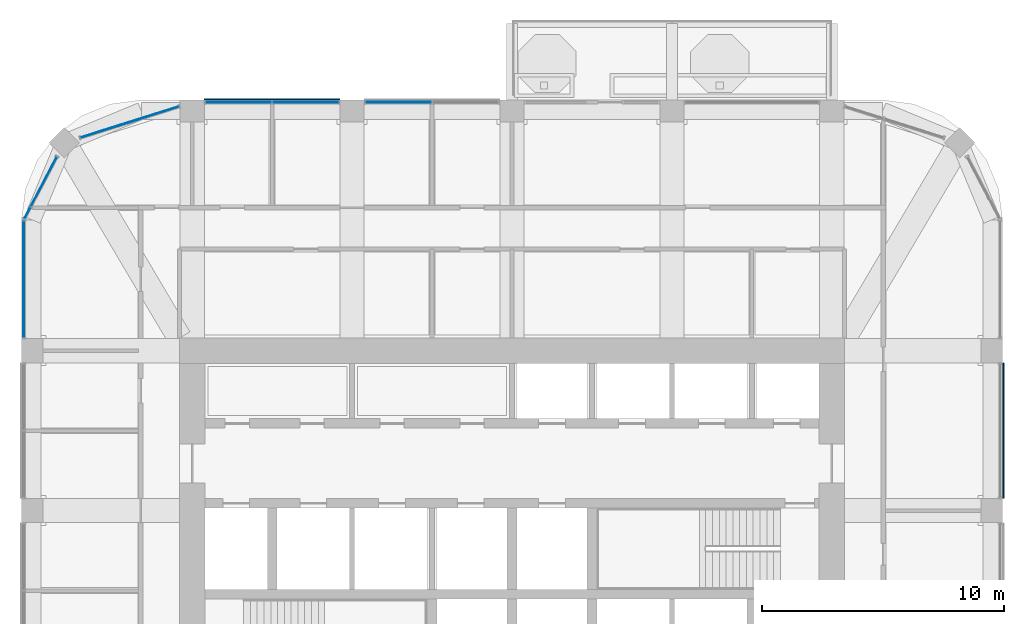
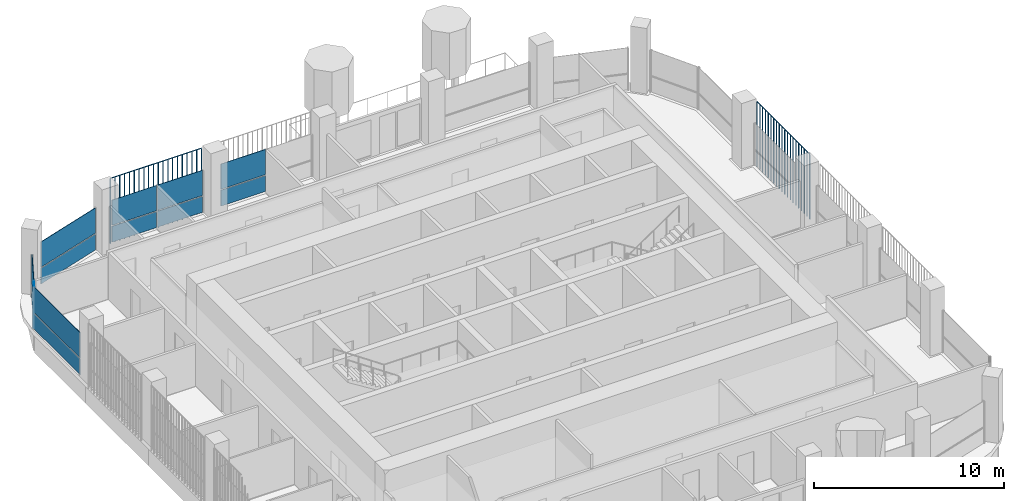
# One storey, part 12 of 21: 16 plates, 5 elements without a shape of their own.
"""IFC4 building model written with IfcOpenShell, lengths in metres."""

from ifc_helpers import new_model, si_unit, direction, frame, origin, origin_2d, place, context, subcontext, project, spatial, polyline, rectangle, outline, extrude, material, layer, layer_set, type_object, element, aggregate, save


model = new_model("IFC4")

# Units and contexts
model_context = context("Model", 3, precision=1e-05, world=origin(), true_north=direction((0.0, 1.0)))
body_context = subcontext(model_context, "Body", "Model", "MODEL_VIEW")
ifc_project = project(units=[si_unit("LENGTHUNIT", "METRE"), si_unit("AREAUNIT", "SQUARE_METRE"), si_unit("VOLUMEUNIT", "CUBIC_METRE"), si_unit("PLANEANGLEUNIT", "RADIAN"), si_unit("MASSUNIT", "GRAM", prefix="KILO")], contexts=[model_context])

# Site, building, storey
site_placement = place(None, origin())
site = spatial("IfcSite", under=ifc_project, at=site_placement, CompositionType="ELEMENT")
building_placement = place(site_placement, origin())
building = spatial("IfcBuilding", under=site, at=building_placement, Name="Cobogo Forest Laboratory Tower", CompositionType="ELEMENT")
storey_placement = place(building_placement, frame((0.0, 0.0, 267.0)))
storey = spatial("IfcBuildingStorey", under=building, at=storey_placement, Name="L61", CompositionType="ELEMENT", Elevation=267.0)

# Curtain wall, plates
ifc_material_1 = material(Name="Aluminium curtain wall", Category="aluminium")
curtain_wall_type = type_object("IfcCurtainWallType", Name="CW-2 unitised curtain wall, solar control glazing, laboratory floors zones C and D", PredefinedType="USERDEFINED", material=ifc_material_1)
curtain_wall_1_placement = place(storey_placement, origin())
curtain_wall_1 = element("IfcCurtainWall", 1, at=curtain_wall_1_placement, inside=storey, type_object=curtain_wall_type, Name="Curtain wall 16 L61", ObjectType="UNITISED CURTAIN WALL", PredefinedType="USERDEFINED")
ifc_material_2 = material(Name="Solar control insulated glass", Category="glass")
ifc_layer = layer(ifc_material_2, 0.031982421875)
ifc_layer_set = layer_set([ifc_layer], Name="GP-2 solar control glass unit 32")
plate_type_1 = type_object("IfcPlateType", Name="GP-2 solar control glass unit 32", PredefinedType="CURTAIN_PANEL", material=ifc_layer_set)
plate_1_placement = place(storey_placement, frame((21.715087890625, 43.25, 0.0), z_axis=(0.0, 0.0, 1.0), x_axis=(-1.0, 0.0, 0.0)))
plate_1 = element("IfcPlate", 2, at=plate_1_placement, type_object=plate_type_1, Name="CW-2 panel 2.1", PredefinedType="CURTAIN_PANEL", context=body_context, shape_type="SweptSolid", body=[
    extrude(rectangle(XDim=2.7099609375, YDim=0.031982421875, at=origin_2d()), origin(), (0.0, 0.0, 1.0), 1.02001953125),
])
plate_2_placement = place(storey_placement, frame((21.715087890625, 43.25, 1.079833984375), z_axis=(0.0, 0.0, 1.0), x_axis=(-1.0, 0.0, 0.0)))
plate_2 = element("IfcPlate", 3, at=plate_2_placement, type_object=plate_type_1, Name="CW-2 panel 2.2", PredefinedType="CURTAIN_PANEL", context=body_context, shape_type="SweptSolid", body=[
    extrude(rectangle(XDim=2.7099609375, YDim=0.031982421875, at=origin_2d()), origin(), (0.0, 0.0, 1.0), 1.6201171875),
])
aggregate(curtain_wall_1, [plate_1, plate_2])

curtain_wall_2_placement = place(storey_placement, origin())
curtain_wall_2 = element("IfcCurtainWall", 4, at=curtain_wall_2_placement, inside=storey, type_object=curtain_wall_type, Name="Curtain wall 17 L61", ObjectType="UNITISED CURTAIN WALL", PredefinedType="USERDEFINED")
plate_3_placement = place(storey_placement, frame((17.885009765625, 43.25, 0.0), z_axis=(0.0, 0.0, 1.0), x_axis=(-1.0, 0.0, 0.0)))
plate_3 = element("IfcPlate", 5, at=plate_3_placement, type_object=plate_type_1, Name="CW-2 panel 1.1", PredefinedType="CURTAIN_PANEL", context=body_context, shape_type="SweptSolid", body=[
    extrude(rectangle(XDim=2.7099609375, YDim=0.031982421875, at=origin_2d()), origin(), (0.0, 0.0, 1.0), 1.02001953125),
])
plate_4_placement = place(storey_placement, frame((17.885009765625, 43.25, 1.079833984375), z_axis=(0.0, 0.0, 1.0), x_axis=(-1.0, 0.0, 0.0)))
plate_4 = element("IfcPlate", 6, at=plate_4_placement, type_object=plate_type_1, Name="CW-2 panel 1.2", PredefinedType="CURTAIN_PANEL", context=body_context, shape_type="SweptSolid", body=[
    extrude(rectangle(XDim=2.7099609375, YDim=0.031982421875, at=origin_2d()), origin(), (0.0, 0.0, 1.0), 1.6201171875),
])
plate_5_placement = place(storey_placement, frame((15.114990234375, 43.25, 0.0), z_axis=(0.0, 0.0, 1.0), x_axis=(-1.0, 0.0, 0.0)))
plate_5 = element("IfcPlate", 7, at=plate_5_placement, type_object=plate_type_1, Name="CW-2 panel 2.1", PredefinedType="CURTAIN_PANEL", context=body_context, shape_type="SweptSolid", body=[
    extrude(rectangle(XDim=2.7099609375, YDim=0.031982421875, at=origin_2d()), origin(), (0.0, 0.0, 1.0), 1.02001953125),
])
plate_6_placement = place(storey_placement, frame((15.114990234375, 43.25, 1.079833984375), z_axis=(0.0, 0.0, 1.0), x_axis=(-1.0, 0.0, 0.0)))
plate_6 = element("IfcPlate", 8, at=plate_6_placement, type_object=plate_type_1, Name="CW-2 panel 2.2", PredefinedType="CURTAIN_PANEL", context=body_context, shape_type="SweptSolid", body=[
    extrude(rectangle(XDim=2.7099609375, YDim=0.031982421875, at=origin_2d()), origin(), (0.0, 0.0, 1.0), 1.6201171875),
])
aggregate(curtain_wall_2, [plate_3, plate_4, plate_5, plate_6])

curtain_wall_3_placement = place(storey_placement, origin())
curtain_wall_3 = element("IfcCurtainWall", 9, at=curtain_wall_3_placement, inside=storey, type_object=curtain_wall_type, Name="Curtain wall 18 L61", ObjectType="UNITISED CURTAIN WALL", PredefinedType="USERDEFINED")
plate_7_placement = place(storey_placement, frame((10.62060546875, 42.435546875, 0.0), z_axis=(0.0, 0.0, 1.0), x_axis=(-0.953581379409, -0.301135439371, 0.0)))
plate_7 = element("IfcPlate", 10, at=plate_7_placement, type_object=plate_type_1, Name="CW-2 panel 1.1", PredefinedType="CURTAIN_PANEL", context=body_context, shape_type="SweptSolid", body=[
    extrude(rectangle(XDim=4.240966796875, YDim=0.031982421875, at=origin_2d()), origin(), (0.0, 0.0, 1.0), 1.02001953125),
])
plate_8_placement = place(storey_placement, frame((10.62060546875, 42.435546875, 1.079833984375), z_axis=(0.0, 0.0, 1.0), x_axis=(-0.953581379409, -0.301135439371, 0.0)))
plate_8 = element("IfcPlate", 11, at=plate_8_placement, type_object=plate_type_1, Name="CW-2 panel 1.2", PredefinedType="CURTAIN_PANEL", context=body_context, shape_type="SweptSolid", body=[
    extrude(rectangle(XDim=4.240966796875, YDim=0.031982421875, at=origin_2d()), origin(), (0.0, 0.0, 1.0), 1.6201171875),
])
aggregate(curtain_wall_3, [plate_7, plate_8])

curtain_wall_4_placement = place(storey_placement, origin())
curtain_wall_4 = element("IfcCurtainWall", 12, at=curtain_wall_4_placement, inside=storey, type_object=curtain_wall_type, Name="Curtain wall 19 L61", ObjectType="UNITISED CURTAIN WALL", PredefinedType="USERDEFINED")
plate_9_placement = place(storey_placement, frame((7.076904296875, 39.977294921875, 0.0), z_axis=(0.0, 0.0, 1.0), x_axis=(-0.464283778337, -0.885686498245, 0.0)))
plate_9 = element("IfcPlate", 13, at=plate_9_placement, type_object=plate_type_1, Name="CW-2 panel 1.1", PredefinedType="CURTAIN_PANEL", context=body_context, shape_type="SweptSolid", body=[
    extrude(rectangle(XDim=2.28857421875, YDim=0.031982421875, at=origin_2d()), origin(), (0.0, 0.0, 1.0), 1.02001953125),
])
plate_10_placement = place(storey_placement, frame((7.076904296875, 39.977294921875, 1.079833984375), z_axis=(0.0, 0.0, 1.0), x_axis=(-0.464283778337, -0.885686498245, 0.0)))
plate_10 = element("IfcPlate", 14, at=plate_10_placement, type_object=plate_type_1, Name="CW-2 panel 1.2", PredefinedType="CURTAIN_PANEL", context=body_context, shape_type="SweptSolid", body=[
    extrude(rectangle(XDim=2.28857421875, YDim=0.031982421875, at=origin_2d()), origin(), (0.0, 0.0, 1.0), 1.6201171875),
])
plate_11_placement = place(storey_placement, frame((6.397705078125, 38.681884765625, 0.0), z_axis=(0.0, 0.0, 1.0), x_axis=(-0.464283778337, -0.885686498245, 0.0)))
plate_11 = element("IfcPlate", 15, at=plate_11_placement, type_object=plate_type_1, Name="CW-2 panel 2.1", PredefinedType="CURTAIN_PANEL", context=body_context, shape_type="SweptSolid", body=[
    extrude(rectangle(XDim=0.516357421875, YDim=0.031982421875, at=origin_2d()), origin(), (0.0, 0.0, 1.0), 1.02001953125),
])
plate_12_placement = place(storey_placement, frame((6.397705078125, 38.681884765625, 1.079833984375), z_axis=(0.0, 0.0, 1.0), x_axis=(-0.464283778337, -0.885686498245, 0.0)))
plate_12 = element("IfcPlate", 16, at=plate_12_placement, type_object=plate_type_1, Name="CW-2 panel 2.2", PredefinedType="CURTAIN_PANEL", context=body_context, shape_type="SweptSolid", body=[
    extrude(rectangle(XDim=0.516357421875, YDim=0.031982421875, at=origin_2d()), origin(), (0.0, 0.0, 1.0), 1.6201171875),
])
aggregate(curtain_wall_4, [plate_9, plate_10, plate_11, plate_12])

curtain_wall_5_placement = place(storey_placement, origin())
curtain_wall_5 = element("IfcCurtainWall", 17, at=curtain_wall_5_placement, inside=storey, type_object=curtain_wall_type, Name="Curtain wall 20 L61", ObjectType="UNITISED CURTAIN WALL", PredefinedType="USERDEFINED")
plate_13_placement = place(storey_placement, frame((6.25, 35.949951171875, 0.0), z_axis=(0.0, 0.0, 1.0), x_axis=(0.0, -1.0, 0.0)))
plate_13 = element("IfcPlate", 18, at=plate_13_placement, type_object=plate_type_1, Name="CW-2 panel 1.1", PredefinedType="CURTAIN_PANEL", context=body_context, shape_type="SweptSolid", body=[
    extrude(rectangle(XDim=4.780029296875, YDim=0.031982421875, at=origin_2d()), origin(), (0.0, 0.0, 1.0), 1.02001953125),
])
plate_14_placement = place(storey_placement, frame((6.25, 35.949951171875, 1.079833984375), z_axis=(0.0, 0.0, 1.0), x_axis=(0.0, -1.0, 0.0)))
plate_14 = element("IfcPlate", 19, at=plate_14_placement, type_object=plate_type_1, Name="CW-2 panel 1.2", PredefinedType="CURTAIN_PANEL", context=body_context, shape_type="SweptSolid", body=[
    extrude(rectangle(XDim=4.780029296875, YDim=0.031982421875, at=origin_2d()), origin(), (0.0, 0.0, 1.0), 1.6201171875),
])
aggregate(curtain_wall_5, [plate_13, plate_14])

# Plates
ifc_material_3 = material(Name="Terracotta", Category="masonry")
plate_type_2 = type_object("IfcPlateType", Name="TB1 terracotta baguette screen", PredefinedType="USERDEFINED", material=ifc_material_3)
plate_15_placement = place(storey_placement, frame((46.677978515625, 26.93115234375, -0.14990234375)))
element("IfcPlate", 20, at=plate_15_placement, inside=storey, type_object=plate_type_2, Name="Baguette screen E3 L61", ObjectType="BAGUETTE SCREEN", PredefinedType="USERDEFINED", context=body_context, shape_type="SweptSolid", body=[
    extrude(outline(polyline([(0.02880859375, 0.011962890625), (0.011962890625, 0.02880859375), (-0.011962890625, 0.02880859375), (-0.02880859375, 0.011962890625), (-0.02880859375, -0.011962890625), (-0.011962890625, -0.02880859375), (0.011962890625, -0.02880859375), (0.02880859375, -0.011962890625), (0.02880859375, 0.011962890625)])), frame((0.0, 0.0, 4.168701171875), z_axis=(0.0, 1.0, 0.0), x_axis=(-1.0, 0.0, 0.0)), (0.0, 0.0, 1.0), 5.53759765625),
    extrude(outline(polyline([(0.02880859375, 0.011962890625), (0.011962890625, 0.02880859375), (-0.011962890625, 0.02880859375), (-0.02880859375, 0.011962890625), (-0.02880859375, -0.011962890625), (-0.011962890625, -0.02880859375), (0.011962890625, -0.02880859375), (0.02880859375, -0.011962890625), (0.02880859375, 0.011962890625)])), origin(), (0.0, 0.0, 1.0), 4.137451171875),
    extrude(outline(polyline([(0.02880859375, 0.011962890625), (0.011962890625, 0.02880859375), (-0.011962890625, 0.02880859375), (-0.02880859375, 0.011962890625), (-0.02880859375, -0.011962890625), (-0.011962890625, -0.02880859375), (0.011962890625, -0.02880859375), (0.02880859375, -0.011962890625), (0.02880859375, 0.011962890625)])), frame((0.0, 0.29150390625, 0.0)), (0.0, 0.0, 1.0), 4.137451171875),
    extrude(outline(polyline([(0.02880859375, 0.011962890625), (0.011962890625, 0.02880859375), (-0.011962890625, 0.02880859375), (-0.02880859375, 0.011962890625), (-0.02880859375, -0.011962890625), (-0.011962890625, -0.02880859375), (0.011962890625, -0.02880859375), (0.02880859375, -0.011962890625), (0.02880859375, 0.011962890625)])), frame((0.0, 0.5830078125, 0.0)), (0.0, 0.0, 1.0), 4.137451171875),
    extrude(outline(polyline([(0.02880859375, 0.011962890625), (0.011962890625, 0.02880859375), (-0.011962890625, 0.02880859375), (-0.02880859375, 0.011962890625), (-0.02880859375, -0.011962890625), (-0.011962890625, -0.02880859375), (0.011962890625, -0.02880859375), (0.02880859375, -0.011962890625), (0.02880859375, 0.011962890625)])), frame((0.0, 0.874267578125, 0.0)), (0.0, 0.0, 1.0), 4.137451171875),
    extrude(outline(polyline([(0.02880859375, 0.011962890625), (0.011962890625, 0.02880859375), (-0.011962890625, 0.02880859375), (-0.02880859375, 0.011962890625), (-0.02880859375, -0.011962890625), (-0.011962890625, -0.02880859375), (0.011962890625, -0.02880859375), (0.02880859375, -0.011962890625), (0.02880859375, 0.011962890625)])), frame((0.0, 1.165771484375, 0.0)), (0.0, 0.0, 1.0), 4.137451171875),
    extrude(outline(polyline([(0.02880859375, 0.011962890625), (0.011962890625, 0.02880859375), (-0.011962890625, 0.02880859375), (-0.02880859375, 0.011962890625), (-0.02880859375, -0.011962890625), (-0.011962890625, -0.02880859375), (0.011962890625, -0.02880859375), (0.02880859375, -0.011962890625), (0.02880859375, 0.011962890625)])), frame((0.0, 1.457275390625, 0.0)), (0.0, 0.0, 1.0), 4.137451171875),
    extrude(outline(polyline([(0.02880859375, 0.011962890625), (0.011962890625, 0.02880859375), (-0.011962890625, 0.02880859375), (-0.02880859375, 0.011962890625), (-0.02880859375, -0.011962890625), (-0.011962890625, -0.02880859375), (0.011962890625, -0.02880859375), (0.02880859375, -0.011962890625), (0.02880859375, 0.011962890625)])), frame((0.0, 1.748779296875, 0.0)), (0.0, 0.0, 1.0), 4.137451171875),
    extrude(outline(polyline([(0.02880859375, 0.011962890625), (0.011962890625, 0.02880859375), (-0.011962890625, 0.02880859375), (-0.02880859375, 0.011962890625), (-0.02880859375, -0.011962890625), (-0.011962890625, -0.02880859375), (0.011962890625, -0.02880859375), (0.02880859375, -0.011962890625), (0.02880859375, 0.011962890625)])), frame((0.0, 2.040283203125, 0.0)), (0.0, 0.0, 1.0), 4.137451171875),
    extrude(outline(polyline([(0.02880859375, 0.011962890625), (0.011962890625, 0.02880859375), (-0.011962890625, 0.02880859375), (-0.02880859375, 0.011962890625), (-0.02880859375, -0.011962890625), (-0.011962890625, -0.02880859375), (0.011962890625, -0.02880859375), (0.02880859375, -0.011962890625), (0.02880859375, 0.011962890625)])), frame((0.0, 2.33154296875, 0.0)), (0.0, 0.0, 1.0), 4.137451171875),
    extrude(outline(polyline([(0.02880859375, 0.011962890625), (0.011962890625, 0.02880859375), (-0.011962890625, 0.02880859375), (-0.02880859375, 0.011962890625), (-0.02880859375, -0.011962890625), (-0.011962890625, -0.02880859375), (0.011962890625, -0.02880859375), (0.02880859375, -0.011962890625), (0.02880859375, 0.011962890625)])), frame((0.0, 2.623046875, 0.0)), (0.0, 0.0, 1.0), 4.137451171875),
    extrude(outline(polyline([(0.02880859375, 0.011962890625), (0.011962890625, 0.02880859375), (-0.011962890625, 0.02880859375), (-0.02880859375, 0.011962890625), (-0.02880859375, -0.011962890625), (-0.011962890625, -0.02880859375), (0.011962890625, -0.02880859375), (0.02880859375, -0.011962890625), (0.02880859375, 0.011962890625)])), frame((0.0, 2.91455078125, 0.0)), (0.0, 0.0, 1.0), 4.137451171875),
    extrude(outline(polyline([(0.02880859375, 0.011962890625), (0.011962890625, 0.02880859375), (-0.011962890625, 0.02880859375), (-0.02880859375, 0.011962890625), (-0.02880859375, -0.011962890625), (-0.011962890625, -0.02880859375), (0.011962890625, -0.02880859375), (0.02880859375, -0.011962890625), (0.02880859375, 0.011962890625)])), frame((0.0, 3.2060546875, 0.0)), (0.0, 0.0, 1.0), 4.137451171875),
    extrude(outline(polyline([(0.02880859375, 0.011962890625), (0.011962890625, 0.02880859375), (-0.011962890625, 0.02880859375), (-0.02880859375, 0.011962890625), (-0.02880859375, -0.011962890625), (-0.011962890625, -0.02880859375), (0.011962890625, -0.02880859375), (0.02880859375, -0.011962890625), (0.02880859375, 0.011962890625)])), frame((0.0, 3.497314453125, 0.0)), (0.0, 0.0, 1.0), 4.137451171875),
    extrude(outline(polyline([(0.02880859375, 0.011962890625), (0.011962890625, 0.02880859375), (-0.011962890625, 0.02880859375), (-0.02880859375, 0.011962890625), (-0.02880859375, -0.011962890625), (-0.011962890625, -0.02880859375), (0.011962890625, -0.02880859375), (0.02880859375, -0.011962890625), (0.02880859375, 0.011962890625)])), frame((0.0, 3.788818359375, 0.0)), (0.0, 0.0, 1.0), 4.137451171875),
    extrude(outline(polyline([(0.02880859375, 0.011962890625), (0.011962890625, 0.02880859375), (-0.011962890625, 0.02880859375), (-0.02880859375, 0.011962890625), (-0.02880859375, -0.011962890625), (-0.011962890625, -0.02880859375), (0.011962890625, -0.02880859375), (0.02880859375, -0.011962890625), (0.02880859375, 0.011962890625)])), frame((0.0, 4.080322265625, 0.0)), (0.0, 0.0, 1.0), 4.137451171875),
    extrude(outline(polyline([(0.02880859375, 0.011962890625), (0.011962890625, 0.02880859375), (-0.011962890625, 0.02880859375), (-0.02880859375, 0.011962890625), (-0.02880859375, -0.011962890625), (-0.011962890625, -0.02880859375), (0.011962890625, -0.02880859375), (0.02880859375, -0.011962890625), (0.02880859375, 0.011962890625)])), frame((0.0, 4.371826171875, 0.0)), (0.0, 0.0, 1.0), 4.137451171875),
    extrude(outline(polyline([(0.02880859375, 0.011962890625), (0.011962890625, 0.02880859375), (-0.011962890625, 0.02880859375), (-0.02880859375, 0.011962890625), (-0.02880859375, -0.011962890625), (-0.011962890625, -0.02880859375), (0.011962890625, -0.02880859375), (0.02880859375, -0.011962890625), (0.02880859375, 0.011962890625)])), frame((0.0, 4.663330078125, 0.0)), (0.0, 0.0, 1.0), 4.137451171875),
    extrude(outline(polyline([(0.02880859375, 0.011962890625), (0.011962890625, 0.02880859375), (-0.011962890625, 0.02880859375), (-0.02880859375, 0.011962890625), (-0.02880859375, -0.011962890625), (-0.011962890625, -0.02880859375), (0.011962890625, -0.02880859375), (0.02880859375, -0.011962890625), (0.02880859375, 0.011962890625)])), frame((0.0, 4.95458984375, 0.0)), (0.0, 0.0, 1.0), 4.137451171875),
    extrude(outline(polyline([(0.02880859375, 0.011962890625), (0.011962890625, 0.02880859375), (-0.011962890625, 0.02880859375), (-0.02880859375, 0.011962890625), (-0.02880859375, -0.011962890625), (-0.011962890625, -0.02880859375), (0.011962890625, -0.02880859375), (0.02880859375, -0.011962890625), (0.02880859375, 0.011962890625)])), frame((0.0, 5.24609375, 0.0)), (0.0, 0.0, 1.0), 4.137451171875),
    extrude(outline(polyline([(0.02880859375, 0.011962890625), (0.011962890625, 0.02880859375), (-0.011962890625, 0.02880859375), (-0.02880859375, 0.011962890625), (-0.02880859375, -0.011962890625), (-0.011962890625, -0.02880859375), (0.011962890625, -0.02880859375), (0.02880859375, -0.011962890625), (0.02880859375, 0.011962890625)])), frame((0.0, 5.53759765625, 0.0)), (0.0, 0.0, 1.0), 4.137451171875),
])
plate_16_placement = place(storey_placement, frame((13.731201171875, 43.3779296875, -0.14990234375)))
element("IfcPlate", 21, at=plate_16_placement, inside=storey, type_object=plate_type_2, Name="Baguette screen N1 L61", ObjectType="BAGUETTE SCREEN", PredefinedType="USERDEFINED", context=body_context, shape_type="SweptSolid", body=[
    extrude(outline(polyline([(0.02880859375, 0.011962890625), (0.011962890625, 0.02880859375), (-0.011962890625, 0.02880859375), (-0.02880859375, 0.011962890625), (-0.02880859375, -0.011962890625), (-0.011962890625, -0.02880859375), (0.011962890625, -0.02880859375), (0.02880859375, -0.011962890625), (0.02880859375, 0.011962890625)])), frame((0.0, 0.0, 4.168701171875), z_axis=(1.0, 0.0, 0.0), x_axis=(0.0, 1.0, 0.0)), (0.0, 0.0, 1.0), 5.53759765625),
    extrude(outline(polyline([(0.02880859375, 0.011962890625), (0.011962890625, 0.02880859375), (-0.011962890625, 0.02880859375), (-0.02880859375, 0.011962890625), (-0.02880859375, -0.011962890625), (-0.011962890625, -0.02880859375), (0.011962890625, -0.02880859375), (0.02880859375, -0.011962890625), (0.02880859375, 0.011962890625)])), origin(), (0.0, 0.0, 1.0), 4.137451171875),
    extrude(outline(polyline([(0.02880859375, 0.011962890625), (0.011962890625, 0.02880859375), (-0.011962890625, 0.02880859375), (-0.02880859375, 0.011962890625), (-0.02880859375, -0.011962890625), (-0.011962890625, -0.02880859375), (0.011962890625, -0.02880859375), (0.02880859375, -0.011962890625), (0.02880859375, 0.011962890625)])), frame((0.29150390625, 0.0, 0.0)), (0.0, 0.0, 1.0), 4.137451171875),
    extrude(outline(polyline([(0.02880859375, 0.011962890625), (0.011962890625, 0.02880859375), (-0.011962890625, 0.02880859375), (-0.02880859375, 0.011962890625), (-0.02880859375, -0.011962890625), (-0.011962890625, -0.02880859375), (0.011962890625, -0.02880859375), (0.02880859375, -0.011962890625), (0.02880859375, 0.011962890625)])), frame((0.5830078125, 0.0, 0.0)), (0.0, 0.0, 1.0), 4.137451171875),
    extrude(outline(polyline([(0.02880859375, 0.011962890625), (0.011962890625, 0.02880859375), (-0.011962890625, 0.02880859375), (-0.02880859375, 0.011962890625), (-0.02880859375, -0.011962890625), (-0.011962890625, -0.02880859375), (0.011962890625, -0.02880859375), (0.02880859375, -0.011962890625), (0.02880859375, 0.011962890625)])), frame((0.874267578125, 0.0, 0.0)), (0.0, 0.0, 1.0), 4.137451171875),
    extrude(outline(polyline([(0.02880859375, 0.011962890625), (0.011962890625, 0.02880859375), (-0.011962890625, 0.02880859375), (-0.02880859375, 0.011962890625), (-0.02880859375, -0.011962890625), (-0.011962890625, -0.02880859375), (0.011962890625, -0.02880859375), (0.02880859375, -0.011962890625), (0.02880859375, 0.011962890625)])), frame((1.165771484375, 0.0, 0.0)), (0.0, 0.0, 1.0), 4.137451171875),
    extrude(outline(polyline([(0.02880859375, 0.011962890625), (0.011962890625, 0.02880859375), (-0.011962890625, 0.02880859375), (-0.02880859375, 0.011962890625), (-0.02880859375, -0.011962890625), (-0.011962890625, -0.02880859375), (0.011962890625, -0.02880859375), (0.02880859375, -0.011962890625), (0.02880859375, 0.011962890625)])), frame((1.457275390625, 0.0, 0.0)), (0.0, 0.0, 1.0), 4.137451171875),
    extrude(outline(polyline([(0.02880859375, 0.011962890625), (0.011962890625, 0.02880859375), (-0.011962890625, 0.02880859375), (-0.02880859375, 0.011962890625), (-0.02880859375, -0.011962890625), (-0.011962890625, -0.02880859375), (0.011962890625, -0.02880859375), (0.02880859375, -0.011962890625), (0.02880859375, 0.011962890625)])), frame((1.748779296875, 0.0, 0.0)), (0.0, 0.0, 1.0), 4.137451171875),
    extrude(outline(polyline([(0.02880859375, 0.011962890625), (0.011962890625, 0.02880859375), (-0.011962890625, 0.02880859375), (-0.02880859375, 0.011962890625), (-0.02880859375, -0.011962890625), (-0.011962890625, -0.02880859375), (0.011962890625, -0.02880859375), (0.02880859375, -0.011962890625), (0.02880859375, 0.011962890625)])), frame((2.040283203125, 0.0, 0.0)), (0.0, 0.0, 1.0), 4.137451171875),
    extrude(outline(polyline([(0.02880859375, 0.011962890625), (0.011962890625, 0.02880859375), (-0.011962890625, 0.02880859375), (-0.02880859375, 0.011962890625), (-0.02880859375, -0.011962890625), (-0.011962890625, -0.02880859375), (0.011962890625, -0.02880859375), (0.02880859375, -0.011962890625), (0.02880859375, 0.011962890625)])), frame((2.33154296875, 0.0, 0.0)), (0.0, 0.0, 1.0), 4.137451171875),
    extrude(outline(polyline([(0.02880859375, 0.011962890625), (0.011962890625, 0.02880859375), (-0.011962890625, 0.02880859375), (-0.02880859375, 0.011962890625), (-0.02880859375, -0.011962890625), (-0.011962890625, -0.02880859375), (0.011962890625, -0.02880859375), (0.02880859375, -0.011962890625), (0.02880859375, 0.011962890625)])), frame((2.623046875, 0.0, 0.0)), (0.0, 0.0, 1.0), 4.137451171875),
    extrude(outline(polyline([(0.02880859375, 0.011962890625), (0.011962890625, 0.02880859375), (-0.011962890625, 0.02880859375), (-0.02880859375, 0.011962890625), (-0.02880859375, -0.011962890625), (-0.011962890625, -0.02880859375), (0.011962890625, -0.02880859375), (0.02880859375, -0.011962890625), (0.02880859375, 0.011962890625)])), frame((2.91455078125, 0.0, 0.0)), (0.0, 0.0, 1.0), 4.137451171875),
    extrude(outline(polyline([(0.02880859375, 0.011962890625), (0.011962890625, 0.02880859375), (-0.011962890625, 0.02880859375), (-0.02880859375, 0.011962890625), (-0.02880859375, -0.011962890625), (-0.011962890625, -0.02880859375), (0.011962890625, -0.02880859375), (0.02880859375, -0.011962890625), (0.02880859375, 0.011962890625)])), frame((3.2060546875, 0.0, 0.0)), (0.0, 0.0, 1.0), 4.137451171875),
    extrude(outline(polyline([(0.02880859375, 0.011962890625), (0.011962890625, 0.02880859375), (-0.011962890625, 0.02880859375), (-0.02880859375, 0.011962890625), (-0.02880859375, -0.011962890625), (-0.011962890625, -0.02880859375), (0.011962890625, -0.02880859375), (0.02880859375, -0.011962890625), (0.02880859375, 0.011962890625)])), frame((3.497314453125, 0.0, 0.0)), (0.0, 0.0, 1.0), 4.137451171875),
    extrude(outline(polyline([(0.02880859375, 0.011962890625), (0.011962890625, 0.02880859375), (-0.011962890625, 0.02880859375), (-0.02880859375, 0.011962890625), (-0.02880859375, -0.011962890625), (-0.011962890625, -0.02880859375), (0.011962890625, -0.02880859375), (0.02880859375, -0.011962890625), (0.02880859375, 0.011962890625)])), frame((3.788818359375, 0.0, 0.0)), (0.0, 0.0, 1.0), 4.137451171875),
    extrude(outline(polyline([(0.02880859375, 0.011962890625), (0.011962890625, 0.02880859375), (-0.011962890625, 0.02880859375), (-0.02880859375, 0.011962890625), (-0.02880859375, -0.011962890625), (-0.011962890625, -0.02880859375), (0.011962890625, -0.02880859375), (0.02880859375, -0.011962890625), (0.02880859375, 0.011962890625)])), frame((4.080322265625, 0.0, 0.0)), (0.0, 0.0, 1.0), 4.137451171875),
    extrude(outline(polyline([(0.02880859375, 0.011962890625), (0.011962890625, 0.02880859375), (-0.011962890625, 0.02880859375), (-0.02880859375, 0.011962890625), (-0.02880859375, -0.011962890625), (-0.011962890625, -0.02880859375), (0.011962890625, -0.02880859375), (0.02880859375, -0.011962890625), (0.02880859375, 0.011962890625)])), frame((4.371826171875, 0.0, 0.0)), (0.0, 0.0, 1.0), 4.137451171875),
    extrude(outline(polyline([(0.02880859375, 0.011962890625), (0.011962890625, 0.02880859375), (-0.011962890625, 0.02880859375), (-0.02880859375, 0.011962890625), (-0.02880859375, -0.011962890625), (-0.011962890625, -0.02880859375), (0.011962890625, -0.02880859375), (0.02880859375, -0.011962890625), (0.02880859375, 0.011962890625)])), frame((4.663330078125, 0.0, 0.0)), (0.0, 0.0, 1.0), 4.137451171875),
    extrude(outline(polyline([(0.02880859375, 0.011962890625), (0.011962890625, 0.02880859375), (-0.011962890625, 0.02880859375), (-0.02880859375, 0.011962890625), (-0.02880859375, -0.011962890625), (-0.011962890625, -0.02880859375), (0.011962890625, -0.02880859375), (0.02880859375, -0.011962890625), (0.02880859375, 0.011962890625)])), frame((4.95458984375, 0.0, 0.0)), (0.0, 0.0, 1.0), 4.137451171875),
    extrude(outline(polyline([(0.02880859375, 0.011962890625), (0.011962890625, 0.02880859375), (-0.011962890625, 0.02880859375), (-0.02880859375, 0.011962890625), (-0.02880859375, -0.011962890625), (-0.011962890625, -0.02880859375), (0.011962890625, -0.02880859375), (0.02880859375, -0.011962890625), (0.02880859375, 0.011962890625)])), frame((5.24609375, 0.0, 0.0)), (0.0, 0.0, 1.0), 4.137451171875),
    extrude(outline(polyline([(0.02880859375, 0.011962890625), (0.011962890625, 0.02880859375), (-0.011962890625, 0.02880859375), (-0.02880859375, 0.011962890625), (-0.02880859375, -0.011962890625), (-0.011962890625, -0.02880859375), (0.011962890625, -0.02880859375), (0.02880859375, -0.011962890625), (0.02880859375, 0.011962890625)])), frame((5.53759765625, 0.0, 0.0)), (0.0, 0.0, 1.0), 4.137451171875),
])

save(model, "model.ifc")
